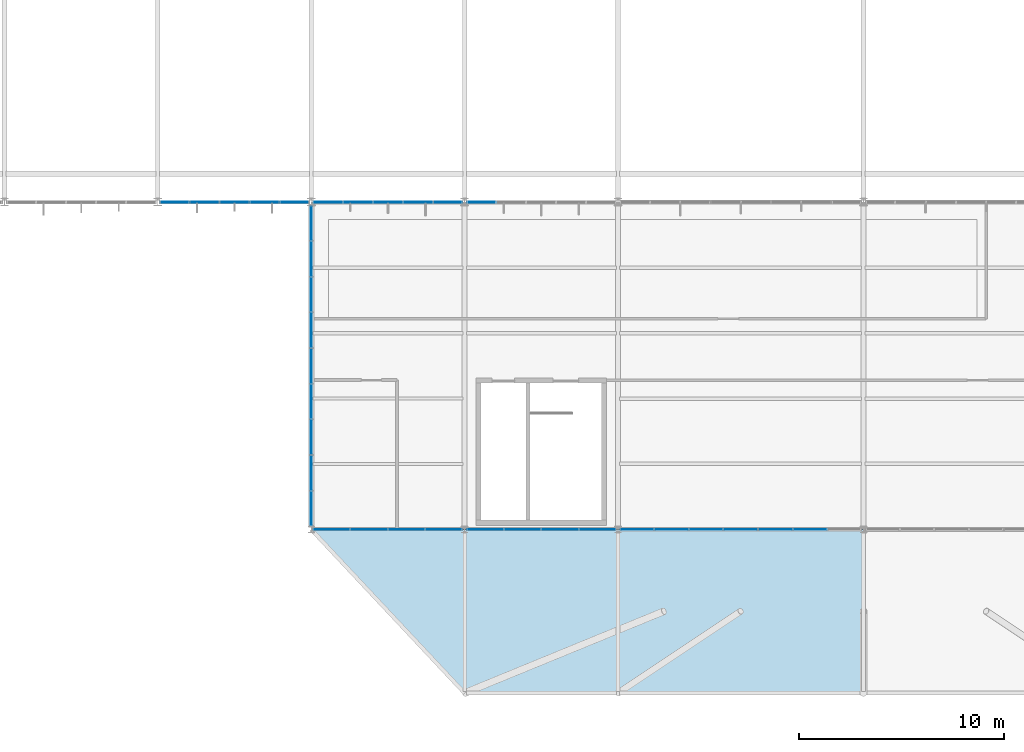
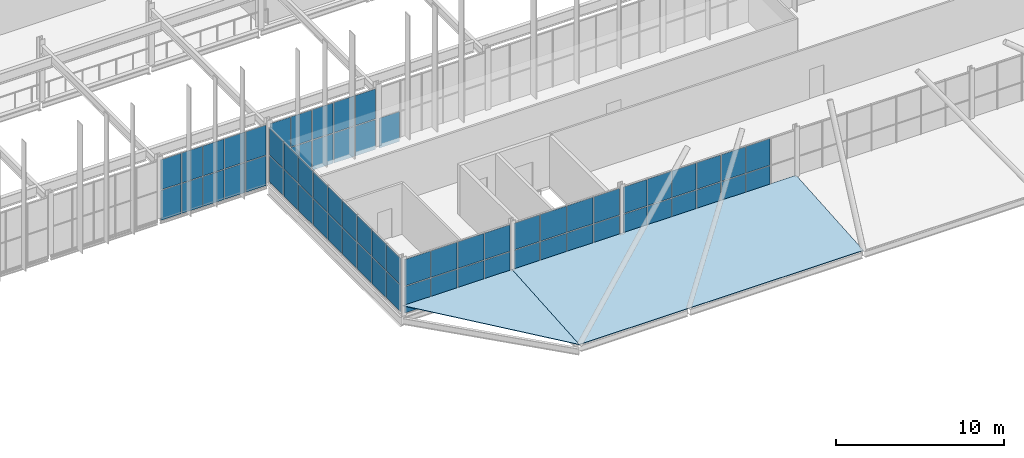
# One storey, part 281 of 324: 69 plates, 7 elements without a shape of their own.
"""IFC4 building model written with IfcOpenShell, lengths in metres."""

from ifc_helpers import new_model, si_unit, direction, frame, origin, origin_2d, place, context, subcontext, project, spatial, polyline, rectangle, outline, extrude, material, layer, layer_set, type_object, element, aggregate, save


model = new_model("IFC4")

# Units and contexts
model_context = context("Model", 3, precision=1e-05, world=origin(), true_north=direction((0.0, 1.0)))
body_context = subcontext(model_context, "Body", "Model", "MODEL_VIEW")
ifc_project = project(units=[si_unit("LENGTHUNIT", "METRE"), si_unit("AREAUNIT", "SQUARE_METRE"), si_unit("VOLUMEUNIT", "CUBIC_METRE"), si_unit("PLANEANGLEUNIT", "RADIAN"), si_unit("MASSUNIT", "GRAM", prefix="KILO")], contexts=[model_context])

# Site, building, storey
site_placement = place(None, origin())
site = spatial("IfcSite", under=ifc_project, at=site_placement, CompositionType="ELEMENT")
building_placement = place(site_placement, origin())
building = spatial("IfcBuilding", under=site, at=building_placement, Name="Solvenia Promenade Tram Depot", CompositionType="ELEMENT")
storey_placement = place(building_placement, frame((0.0, 0.0, 4.5)))
storey = spatial("IfcBuildingStorey", under=building, at=storey_placement, Name="L01", CompositionType="ELEMENT", Elevation=4.5)

# Curtain wall, plates
ifc_material_1 = material(Name="Anodized aluminium AW-6063 T6", Category="aluminium")
ifc_layer_1 = layer(ifc_material_1, 0.080078125, Name="Anodized aluminium AW-6063 T6", Category="aluminium")
ifc_layer_set_1 = layer_set([ifc_layer_1], Name="Anodized aluminium AW-6063 T6")
curtain_wall_type_1 = type_object("IfcCurtainWallType", Name="CW-Clerest-1500", PredefinedType="NOTDEFINED", material=ifc_layer_set_1)
curtain_wall_1_placement = place(storey_placement, origin())
curtain_wall_1 = element("IfcCurtainWall", 1, at=curtain_wall_1_placement, inside=storey, type_object=curtain_wall_type_1, Name="Curtain Wall CW-V2S-L1-04", PredefinedType="NOTDEFINED")
ifc_material_2 = material(Name="Double low-e argon insulated glass", Category="glass")
ifc_layer_2 = layer(ifc_material_2, 0.031982421875, Name="Double low-e argon insulated glass", Category="glass")
ifc_layer_set_2 = layer_set([ifc_layer_2], Name="Double low-e argon insulated glass")
plate_type_1 = type_object("IfcPlateType", Name="CWP-Panel-2", PredefinedType="CURTAIN_PANEL", material=ifc_layer_set_2)
plate_1_placement = place(storey_placement, frame((128.32763671875, 24.0, -0.294921875), z_axis=(0.0, 0.0, 1.0), x_axis=(1.0, 0.0, 0.0)))
plate_1 = element("IfcPlate", 2, at=plate_1_placement, type_object=plate_type_1, Name="CW-4 panel 1.1", PredefinedType="CURTAIN_PANEL", context=body_context, shape_type="SweptSolid", body=[
    extrude(rectangle(XDim=1.385498046875, YDim=0.031982421875, at=origin_2d()), origin(), (0.0, 0.0, 1.0), 2.16748046875),
])
plate_2_placement = place(storey_placement, frame((128.32763671875, 24.0, 1.927490234375), z_axis=(0.0, 0.0, 1.0), x_axis=(1.0, 0.0, 0.0)))
plate_2 = element("IfcPlate", 3, at=plate_2_placement, type_object=plate_type_1, Name="CW-4 panel 1.2", PredefinedType="CURTAIN_PANEL", context=body_context, shape_type="SweptSolid", body=[
    extrude(rectangle(XDim=1.385498046875, YDim=0.031982421875, at=origin_2d()), origin(), (0.0, 0.0, 1.0), 2.16748046875),
])
plate_3_placement = place(storey_placement, frame((129.781982421875, 24.0, -0.294921875), z_axis=(0.0, 0.0, 1.0), x_axis=(1.0, 0.0, 0.0)))
plate_3 = element("IfcPlate", 4, at=plate_3_placement, type_object=plate_type_1, Name="CW-4 panel 2.1", PredefinedType="CURTAIN_PANEL", context=body_context, shape_type="SweptSolid", body=[
    extrude(rectangle(XDim=1.4130859375, YDim=0.031982421875, at=origin_2d()), origin(), (0.0, 0.0, 1.0), 2.16748046875),
])
plate_4_placement = place(storey_placement, frame((129.781982421875, 24.0, 1.927490234375), z_axis=(0.0, 0.0, 1.0), x_axis=(1.0, 0.0, 0.0)))
plate_4 = element("IfcPlate", 5, at=plate_4_placement, type_object=plate_type_1, Name="CW-4 panel 2.2", PredefinedType="CURTAIN_PANEL", context=body_context, shape_type="SweptSolid", body=[
    extrude(rectangle(XDim=1.4130859375, YDim=0.031982421875, at=origin_2d()), origin(), (0.0, 0.0, 1.0), 2.16748046875),
])
plate_5_placement = place(storey_placement, frame((131.25, 24.0, -0.294921875), z_axis=(0.0, 0.0, 1.0), x_axis=(1.0, 0.0, 0.0)))
plate_5 = element("IfcPlate", 6, at=plate_5_placement, type_object=plate_type_1, Name="CW-4 panel 3.1", PredefinedType="CURTAIN_PANEL", context=body_context, shape_type="SweptSolid", body=[
    extrude(rectangle(XDim=1.4130859375, YDim=0.031982421875, at=origin_2d()), origin(), (0.0, 0.0, 1.0), 2.16748046875),
])
plate_6_placement = place(storey_placement, frame((131.25, 24.0, 1.927490234375), z_axis=(0.0, 0.0, 1.0), x_axis=(1.0, 0.0, 0.0)))
plate_6 = element("IfcPlate", 7, at=plate_6_placement, type_object=plate_type_1, Name="CW-4 panel 3.2", PredefinedType="CURTAIN_PANEL", context=body_context, shape_type="SweptSolid", body=[
    extrude(rectangle(XDim=1.4130859375, YDim=0.031982421875, at=origin_2d()), origin(), (0.0, 0.0, 1.0), 2.16748046875),
])
plate_7_placement = place(storey_placement, frame((132.718017578125, 24.0, -0.294921875), z_axis=(0.0, 0.0, 1.0), x_axis=(1.0, 0.0, 0.0)))
plate_7 = element("IfcPlate", 8, at=plate_7_placement, type_object=plate_type_1, Name="CW-4 panel 4.1", PredefinedType="CURTAIN_PANEL", context=body_context, shape_type="SweptSolid", body=[
    extrude(rectangle(XDim=1.4130859375, YDim=0.031982421875, at=origin_2d()), origin(), (0.0, 0.0, 1.0), 2.16748046875),
])
plate_8_placement = place(storey_placement, frame((132.718017578125, 24.0, 1.927490234375), z_axis=(0.0, 0.0, 1.0), x_axis=(1.0, 0.0, 0.0)))
plate_8 = element("IfcPlate", 9, at=plate_8_placement, type_object=plate_type_1, Name="CW-4 panel 4.2", PredefinedType="CURTAIN_PANEL", context=body_context, shape_type="SweptSolid", body=[
    extrude(rectangle(XDim=1.4130859375, YDim=0.031982421875, at=origin_2d()), origin(), (0.0, 0.0, 1.0), 2.16748046875),
])
plate_9_placement = place(storey_placement, frame((134.17236328125, 24.0, -0.294921875), z_axis=(0.0, 0.0, 1.0), x_axis=(1.0, 0.0, 0.0)))
plate_9 = element("IfcPlate", 10, at=plate_9_placement, type_object=plate_type_1, Name="CW-4 panel 5.1", PredefinedType="CURTAIN_PANEL", context=body_context, shape_type="SweptSolid", body=[
    extrude(rectangle(XDim=1.385498046875, YDim=0.031982421875, at=origin_2d()), origin(), (0.0, 0.0, 1.0), 2.16748046875),
])
plate_10_placement = place(storey_placement, frame((134.17236328125, 24.0, 1.927490234375), z_axis=(0.0, 0.0, 1.0), x_axis=(1.0, 0.0, 0.0)))
plate_10 = element("IfcPlate", 11, at=plate_10_placement, type_object=plate_type_1, Name="CW-4 panel 5.2", PredefinedType="CURTAIN_PANEL", context=body_context, shape_type="SweptSolid", body=[
    extrude(rectangle(XDim=1.385498046875, YDim=0.031982421875, at=origin_2d()), origin(), (0.0, 0.0, 1.0), 2.16748046875),
])
aggregate(curtain_wall_1, [plate_1, plate_2, plate_3, plate_4, plate_5, plate_6, plate_7, plate_8, plate_9, plate_10])

curtain_wall_2_placement = place(storey_placement, origin())
curtain_wall_2 = element("IfcCurtainWall", 12, at=curtain_wall_2_placement, inside=storey, type_object=curtain_wall_type_1, Name="Curtain Wall CW-V2S-L1-05", PredefinedType="NOTDEFINED")
plate_11_placement = place(storey_placement, frame((135.82763671875, 24.0, -0.294921875), z_axis=(0.0, 0.0, 1.0), x_axis=(1.0, 0.0, 0.0)))
plate_11 = element("IfcPlate", 13, at=plate_11_placement, type_object=plate_type_1, Name="CW-4 panel 1.1", PredefinedType="CURTAIN_PANEL", context=body_context, shape_type="SweptSolid", body=[
    extrude(rectangle(XDim=1.385498046875, YDim=0.031982421875, at=origin_2d()), origin(), (0.0, 0.0, 1.0), 2.16748046875),
])
plate_12_placement = place(storey_placement, frame((135.82763671875, 24.0, 1.927490234375), z_axis=(0.0, 0.0, 1.0), x_axis=(1.0, 0.0, 0.0)))
plate_12 = element("IfcPlate", 14, at=plate_12_placement, type_object=plate_type_1, Name="CW-4 panel 1.2", PredefinedType="CURTAIN_PANEL", context=body_context, shape_type="SweptSolid", body=[
    extrude(rectangle(XDim=1.385498046875, YDim=0.031982421875, at=origin_2d()), origin(), (0.0, 0.0, 1.0), 2.16748046875),
])
plate_13_placement = place(storey_placement, frame((137.281982421875, 24.0, -0.294921875), z_axis=(0.0, 0.0, 1.0), x_axis=(1.0, 0.0, 0.0)))
plate_13 = element("IfcPlate", 15, at=plate_13_placement, type_object=plate_type_1, Name="CW-4 panel 2.1", PredefinedType="CURTAIN_PANEL", context=body_context, shape_type="SweptSolid", body=[
    extrude(rectangle(XDim=1.4130859375, YDim=0.031982421875, at=origin_2d()), origin(), (0.0, 0.0, 1.0), 2.16748046875),
])
plate_14_placement = place(storey_placement, frame((137.281982421875, 24.0, 1.927490234375), z_axis=(0.0, 0.0, 1.0), x_axis=(1.0, 0.0, 0.0)))
plate_14 = element("IfcPlate", 16, at=plate_14_placement, type_object=plate_type_1, Name="CW-4 panel 2.2", PredefinedType="CURTAIN_PANEL", context=body_context, shape_type="SweptSolid", body=[
    extrude(rectangle(XDim=1.4130859375, YDim=0.031982421875, at=origin_2d()), origin(), (0.0, 0.0, 1.0), 2.16748046875),
])
plate_15_placement = place(storey_placement, frame((138.75, 24.0, -0.294921875), z_axis=(0.0, 0.0, 1.0), x_axis=(1.0, 0.0, 0.0)))
plate_15 = element("IfcPlate", 17, at=plate_15_placement, type_object=plate_type_1, Name="CW-4 panel 3.1", PredefinedType="CURTAIN_PANEL", context=body_context, shape_type="SweptSolid", body=[
    extrude(rectangle(XDim=1.4130859375, YDim=0.031982421875, at=origin_2d()), origin(), (0.0, 0.0, 1.0), 2.16748046875),
])
plate_16_placement = place(storey_placement, frame((138.75, 24.0, 1.927490234375), z_axis=(0.0, 0.0, 1.0), x_axis=(1.0, 0.0, 0.0)))
plate_16 = element("IfcPlate", 18, at=plate_16_placement, type_object=plate_type_1, Name="CW-4 panel 3.2", PredefinedType="CURTAIN_PANEL", context=body_context, shape_type="SweptSolid", body=[
    extrude(rectangle(XDim=1.4130859375, YDim=0.031982421875, at=origin_2d()), origin(), (0.0, 0.0, 1.0), 2.16748046875),
])
plate_17_placement = place(storey_placement, frame((140.218017578125, 24.0, -0.294921875), z_axis=(0.0, 0.0, 1.0), x_axis=(1.0, 0.0, 0.0)))
plate_17 = element("IfcPlate", 19, at=plate_17_placement, type_object=plate_type_1, Name="CW-4 panel 4.1", PredefinedType="CURTAIN_PANEL", context=body_context, shape_type="SweptSolid", body=[
    extrude(rectangle(XDim=1.4130859375, YDim=0.031982421875, at=origin_2d()), origin(), (0.0, 0.0, 1.0), 2.16748046875),
])
plate_18_placement = place(storey_placement, frame((140.218017578125, 24.0, 1.927490234375), z_axis=(0.0, 0.0, 1.0), x_axis=(1.0, 0.0, 0.0)))
plate_18 = element("IfcPlate", 20, at=plate_18_placement, type_object=plate_type_1, Name="CW-4 panel 4.2", PredefinedType="CURTAIN_PANEL", context=body_context, shape_type="SweptSolid", body=[
    extrude(rectangle(XDim=1.4130859375, YDim=0.031982421875, at=origin_2d()), origin(), (0.0, 0.0, 1.0), 2.16748046875),
])
plate_19_placement = place(storey_placement, frame((141.67236328125, 24.0, -0.294921875), z_axis=(0.0, 0.0, 1.0), x_axis=(1.0, 0.0, 0.0)))
plate_19 = element("IfcPlate", 21, at=plate_19_placement, type_object=plate_type_1, Name="CW-4 panel 5.1", PredefinedType="CURTAIN_PANEL", context=body_context, shape_type="SweptSolid", body=[
    extrude(rectangle(XDim=1.385498046875, YDim=0.031982421875, at=origin_2d()), origin(), (0.0, 0.0, 1.0), 2.16748046875),
])
plate_20_placement = place(storey_placement, frame((141.67236328125, 24.0, 1.927490234375), z_axis=(0.0, 0.0, 1.0), x_axis=(1.0, 0.0, 0.0)))
plate_20 = element("IfcPlate", 22, at=plate_20_placement, type_object=plate_type_1, Name="CW-4 panel 5.2", PredefinedType="CURTAIN_PANEL", context=body_context, shape_type="SweptSolid", body=[
    extrude(rectangle(XDim=1.385498046875, YDim=0.031982421875, at=origin_2d()), origin(), (0.0, 0.0, 1.0), 2.16748046875),
])
aggregate(curtain_wall_2, [plate_11, plate_12, plate_13, plate_14, plate_15, plate_16, plate_17, plate_18, plate_19, plate_20])

# Curtain wall, plate
curtain_wall_3_placement = place(storey_placement, origin())
curtain_wall_3 = element("IfcCurtainWall", 23, at=curtain_wall_3_placement, inside=storey, type_object=curtain_wall_type_1, Name="Curtain Wall CW-V2S-L1-06", PredefinedType="NOTDEFINED")
plate_21_placement = place(storey_placement, frame((143.32763671875, 24.0, -0.294921875), z_axis=(0.0, 0.0, 1.0), x_axis=(1.0, 0.0, 0.0)))
plate_21 = element("IfcPlate", 24, at=plate_21_placement, type_object=plate_type_1, Name="CW-4 panel 1.1", PredefinedType="CURTAIN_PANEL", context=body_context, shape_type="SweptSolid", body=[
    extrude(rectangle(XDim=1.385498046875, YDim=0.031982421875, at=origin_2d()), origin(), (0.0, 0.0, 1.0), 2.16748046875),
])
aggregate(curtain_wall_3, [plate_21])

# Curtain wall, plates
ifc_layer_3 = layer(ifc_material_1, 0.179931640625, Name="Anodized aluminium AW-6063 T6", Category="aluminium")
ifc_layer_set_3 = layer_set([ifc_layer_3], Name="Anodized aluminium AW-6063 T6")
curtain_wall_type_2 = type_object("IfcCurtainWallType", Name="CW-Prom-1800", PredefinedType="NOTDEFINED", material=ifc_layer_set_3)
curtain_wall_4_placement = place(storey_placement, origin())
curtain_wall_4 = element("IfcCurtainWall", 25, at=curtain_wall_4_placement, inside=storey, type_object=curtain_wall_type_2, Name="Curtain Wall CW-V5S-L1-01", PredefinedType="NOTDEFINED")
plate_22_placement = place(storey_placement, frame((136.01123046875, 8.0, 0.054931640625), z_axis=(0.0, 0.0, 1.0), x_axis=(1.0, 0.0, 0.0)))
plate_22 = element("IfcPlate", 26, at=plate_22_placement, type_object=plate_type_1, Name="CW-9 panel 1.1", PredefinedType="CURTAIN_PANEL", context=body_context, shape_type="SweptSolid", body=[
    extrude(rectangle(XDim=1.75244140625, YDim=0.031982421875, at=origin_2d()), origin(), (0.0, 0.0, 1.0), 1.91748046875),
])
plate_23_placement = place(storey_placement, frame((136.01123046875, 8.0, 2.027587890625), z_axis=(0.0, 0.0, 1.0), x_axis=(1.0, 0.0, 0.0)))
plate_23 = element("IfcPlate", 27, at=plate_23_placement, type_object=plate_type_1, Name="CW-9 panel 1.2", PredefinedType="CURTAIN_PANEL", context=body_context, shape_type="SweptSolid", body=[
    extrude(rectangle(XDim=1.75244140625, YDim=0.031982421875, at=origin_2d()), origin(), (0.0, 0.0, 1.0), 1.91748046875),
])
plate_24_placement = place(storey_placement, frame((137.83251953125, 8.0, 0.054931640625), z_axis=(0.0, 0.0, 1.0), x_axis=(1.0, 0.0, 0.0)))
plate_24 = element("IfcPlate", 28, at=plate_24_placement, type_object=plate_type_1, Name="CW-9 panel 2.1", PredefinedType="CURTAIN_PANEL", context=body_context, shape_type="SweptSolid", body=[
    extrude(rectangle(XDim=1.780029296875, YDim=0.031982421875, at=origin_2d()), origin(), (0.0, 0.0, 1.0), 1.91748046875),
])
plate_25_placement = place(storey_placement, frame((137.83251953125, 8.0, 2.027587890625), z_axis=(0.0, 0.0, 1.0), x_axis=(1.0, 0.0, 0.0)))
plate_25 = element("IfcPlate", 29, at=plate_25_placement, type_object=plate_type_1, Name="CW-9 panel 2.2", PredefinedType="CURTAIN_PANEL", context=body_context, shape_type="SweptSolid", body=[
    extrude(rectangle(XDim=1.780029296875, YDim=0.031982421875, at=origin_2d()), origin(), (0.0, 0.0, 1.0), 1.91748046875),
])
plate_26_placement = place(storey_placement, frame((139.66748046875, 8.0, 0.054931640625), z_axis=(0.0, 0.0, 1.0), x_axis=(1.0, 0.0, 0.0)))
plate_26 = element("IfcPlate", 30, at=plate_26_placement, type_object=plate_type_1, Name="CW-9 panel 3.1", PredefinedType="CURTAIN_PANEL", context=body_context, shape_type="SweptSolid", body=[
    extrude(rectangle(XDim=1.780029296875, YDim=0.031982421875, at=origin_2d()), origin(), (0.0, 0.0, 1.0), 1.91748046875),
])
plate_27_placement = place(storey_placement, frame((139.66748046875, 8.0, 2.027587890625), z_axis=(0.0, 0.0, 1.0), x_axis=(1.0, 0.0, 0.0)))
plate_27 = element("IfcPlate", 31, at=plate_27_placement, type_object=plate_type_1, Name="CW-9 panel 3.2", PredefinedType="CURTAIN_PANEL", context=body_context, shape_type="SweptSolid", body=[
    extrude(rectangle(XDim=1.780029296875, YDim=0.031982421875, at=origin_2d()), origin(), (0.0, 0.0, 1.0), 1.91748046875),
])
plate_28_placement = place(storey_placement, frame((141.48876953125, 8.0, 0.054931640625), z_axis=(0.0, 0.0, 1.0), x_axis=(1.0, 0.0, 0.0)))
plate_28 = element("IfcPlate", 32, at=plate_28_placement, type_object=plate_type_1, Name="CW-9 panel 4.1", PredefinedType="CURTAIN_PANEL", context=body_context, shape_type="SweptSolid", body=[
    extrude(rectangle(XDim=1.75244140625, YDim=0.031982421875, at=origin_2d()), origin(), (0.0, 0.0, 1.0), 1.91748046875),
])
plate_29_placement = place(storey_placement, frame((141.48876953125, 8.0, 2.027587890625), z_axis=(0.0, 0.0, 1.0), x_axis=(1.0, 0.0, 0.0)))
plate_29 = element("IfcPlate", 33, at=plate_29_placement, type_object=plate_type_1, Name="CW-9 panel 4.2", PredefinedType="CURTAIN_PANEL", context=body_context, shape_type="SweptSolid", body=[
    extrude(rectangle(XDim=1.75244140625, YDim=0.031982421875, at=origin_2d()), origin(), (0.0, 0.0, 1.0), 1.91748046875),
])
aggregate(curtain_wall_4, [plate_22, plate_23, plate_24, plate_25, plate_26, plate_27, plate_28, plate_29])

curtain_wall_5_placement = place(storey_placement, origin())
curtain_wall_5 = element("IfcCurtainWall", 34, at=curtain_wall_5_placement, inside=storey, type_object=curtain_wall_type_2, Name="Curtain Wall CW-V5S-L1-02", PredefinedType="NOTDEFINED")
plate_30_placement = place(storey_placement, frame((143.51123046875, 8.0, 0.054931640625), z_axis=(0.0, 0.0, 1.0), x_axis=(1.0, 0.0, 0.0)))
plate_30 = element("IfcPlate", 35, at=plate_30_placement, type_object=plate_type_1, Name="CW-9 panel 1.1", PredefinedType="CURTAIN_PANEL", context=body_context, shape_type="SweptSolid", body=[
    extrude(rectangle(XDim=1.75244140625, YDim=0.031982421875, at=origin_2d()), origin(), (0.0, 0.0, 1.0), 1.91748046875),
])
plate_31_placement = place(storey_placement, frame((143.51123046875, 8.0, 2.027587890625), z_axis=(0.0, 0.0, 1.0), x_axis=(1.0, 0.0, 0.0)))
plate_31 = element("IfcPlate", 36, at=plate_31_placement, type_object=plate_type_1, Name="CW-9 panel 1.2", PredefinedType="CURTAIN_PANEL", context=body_context, shape_type="SweptSolid", body=[
    extrude(rectangle(XDim=1.75244140625, YDim=0.031982421875, at=origin_2d()), origin(), (0.0, 0.0, 1.0), 1.91748046875),
])
plate_32_placement = place(storey_placement, frame((145.33251953125, 8.0, 0.054931640625), z_axis=(0.0, 0.0, 1.0), x_axis=(1.0, 0.0, 0.0)))
plate_32 = element("IfcPlate", 37, at=plate_32_placement, type_object=plate_type_1, Name="CW-9 panel 2.1", PredefinedType="CURTAIN_PANEL", context=body_context, shape_type="SweptSolid", body=[
    extrude(rectangle(XDim=1.780029296875, YDim=0.031982421875, at=origin_2d()), origin(), (0.0, 0.0, 1.0), 1.91748046875),
])
plate_33_placement = place(storey_placement, frame((145.33251953125, 8.0, 2.027587890625), z_axis=(0.0, 0.0, 1.0), x_axis=(1.0, 0.0, 0.0)))
plate_33 = element("IfcPlate", 38, at=plate_33_placement, type_object=plate_type_1, Name="CW-9 panel 2.2", PredefinedType="CURTAIN_PANEL", context=body_context, shape_type="SweptSolid", body=[
    extrude(rectangle(XDim=1.780029296875, YDim=0.031982421875, at=origin_2d()), origin(), (0.0, 0.0, 1.0), 1.91748046875),
])
plate_34_placement = place(storey_placement, frame((147.16748046875, 8.0, 0.054931640625), z_axis=(0.0, 0.0, 1.0), x_axis=(1.0, 0.0, 0.0)))
plate_34 = element("IfcPlate", 39, at=plate_34_placement, type_object=plate_type_1, Name="CW-9 panel 3.1", PredefinedType="CURTAIN_PANEL", context=body_context, shape_type="SweptSolid", body=[
    extrude(rectangle(XDim=1.780029296875, YDim=0.031982421875, at=origin_2d()), origin(), (0.0, 0.0, 1.0), 1.91748046875),
])
plate_35_placement = place(storey_placement, frame((147.16748046875, 8.0, 2.027587890625), z_axis=(0.0, 0.0, 1.0), x_axis=(1.0, 0.0, 0.0)))
plate_35 = element("IfcPlate", 40, at=plate_35_placement, type_object=plate_type_1, Name="CW-9 panel 3.2", PredefinedType="CURTAIN_PANEL", context=body_context, shape_type="SweptSolid", body=[
    extrude(rectangle(XDim=1.780029296875, YDim=0.031982421875, at=origin_2d()), origin(), (0.0, 0.0, 1.0), 1.91748046875),
])
plate_36_placement = place(storey_placement, frame((148.98876953125, 8.0, 0.054931640625), z_axis=(0.0, 0.0, 1.0), x_axis=(1.0, 0.0, 0.0)))
plate_36 = element("IfcPlate", 41, at=plate_36_placement, type_object=plate_type_1, Name="CW-9 panel 4.1", PredefinedType="CURTAIN_PANEL", context=body_context, shape_type="SweptSolid", body=[
    extrude(rectangle(XDim=1.75244140625, YDim=0.031982421875, at=origin_2d()), origin(), (0.0, 0.0, 1.0), 1.91748046875),
])
plate_37_placement = place(storey_placement, frame((148.98876953125, 8.0, 2.027587890625), z_axis=(0.0, 0.0, 1.0), x_axis=(1.0, 0.0, 0.0)))
plate_37 = element("IfcPlate", 42, at=plate_37_placement, type_object=plate_type_1, Name="CW-9 panel 4.2", PredefinedType="CURTAIN_PANEL", context=body_context, shape_type="SweptSolid", body=[
    extrude(rectangle(XDim=1.75244140625, YDim=0.031982421875, at=origin_2d()), origin(), (0.0, 0.0, 1.0), 1.91748046875),
])
aggregate(curtain_wall_5, [plate_30, plate_31, plate_32, plate_33, plate_34, plate_35, plate_36, plate_37])

curtain_wall_6_placement = place(storey_placement, origin())
curtain_wall_6 = element("IfcCurtainWall", 43, at=curtain_wall_6_placement, inside=storey, type_object=curtain_wall_type_2, Name="Curtain Wall CW-V5S-L1-03", PredefinedType="NOTDEFINED")
plate_38_placement = place(storey_placement, frame((150.939453125, 8.0, 0.054931640625), z_axis=(0.0, 0.0, 1.0), x_axis=(1.0, 0.0, 0.0)))
plate_38 = element("IfcPlate", 44, at=plate_38_placement, type_object=plate_type_1, Name="CW-9 panel 1.1", PredefinedType="CURTAIN_PANEL", context=body_context, shape_type="SweptSolid", body=[
    extrude(rectangle(XDim=1.60888671875, YDim=0.031982421875, at=origin_2d()), origin(), (0.0, 0.0, 1.0), 1.91748046875),
])
plate_39_placement = place(storey_placement, frame((150.939453125, 8.0, 2.027587890625), z_axis=(0.0, 0.0, 1.0), x_axis=(1.0, 0.0, 0.0)))
plate_39 = element("IfcPlate", 45, at=plate_39_placement, type_object=plate_type_1, Name="CW-9 panel 1.2", PredefinedType="CURTAIN_PANEL", context=body_context, shape_type="SweptSolid", body=[
    extrude(rectangle(XDim=1.60888671875, YDim=0.031982421875, at=origin_2d()), origin(), (0.0, 0.0, 1.0), 1.91748046875),
])
plate_40_placement = place(storey_placement, frame((152.6171875, 8.0, 0.054931640625), z_axis=(0.0, 0.0, 1.0), x_axis=(1.0, 0.0, 0.0)))
plate_40 = element("IfcPlate", 46, at=plate_40_placement, type_object=plate_type_1, Name="CW-9 panel 2.1", PredefinedType="CURTAIN_PANEL", context=body_context, shape_type="SweptSolid", body=[
    extrude(rectangle(XDim=1.636474609375, YDim=0.031982421875, at=origin_2d()), origin(), (0.0, 0.0, 1.0), 1.91748046875),
])
plate_41_placement = place(storey_placement, frame((152.6171875, 8.0, 2.027587890625), z_axis=(0.0, 0.0, 1.0), x_axis=(1.0, 0.0, 0.0)))
plate_41 = element("IfcPlate", 47, at=plate_41_placement, type_object=plate_type_1, Name="CW-9 panel 2.2", PredefinedType="CURTAIN_PANEL", context=body_context, shape_type="SweptSolid", body=[
    extrude(rectangle(XDim=1.636474609375, YDim=0.031982421875, at=origin_2d()), origin(), (0.0, 0.0, 1.0), 1.91748046875),
])
plate_42_placement = place(storey_placement, frame((154.30859375, 8.0, 0.054931640625), z_axis=(0.0, 0.0, 1.0), x_axis=(1.0, 0.0, 0.0)))
plate_42 = element("IfcPlate", 48, at=plate_42_placement, type_object=plate_type_1, Name="CW-9 panel 3.1", PredefinedType="CURTAIN_PANEL", context=body_context, shape_type="SweptSolid", body=[
    extrude(rectangle(XDim=1.636474609375, YDim=0.031982421875, at=origin_2d()), origin(), (0.0, 0.0, 1.0), 1.91748046875),
])
plate_43_placement = place(storey_placement, frame((154.30859375, 8.0, 2.027587890625), z_axis=(0.0, 0.0, 1.0), x_axis=(1.0, 0.0, 0.0)))
plate_43 = element("IfcPlate", 49, at=plate_43_placement, type_object=plate_type_1, Name="CW-9 panel 3.2", PredefinedType="CURTAIN_PANEL", context=body_context, shape_type="SweptSolid", body=[
    extrude(rectangle(XDim=1.636474609375, YDim=0.031982421875, at=origin_2d()), origin(), (0.0, 0.0, 1.0), 1.91748046875),
])
plate_44_placement = place(storey_placement, frame((156.0, 8.0, 0.054931640625), z_axis=(0.0, 0.0, 1.0), x_axis=(1.0, 0.0, 0.0)))
plate_44 = element("IfcPlate", 50, at=plate_44_placement, type_object=plate_type_1, Name="CW-9 panel 4.1", PredefinedType="CURTAIN_PANEL", context=body_context, shape_type="SweptSolid", body=[
    extrude(rectangle(XDim=1.636474609375, YDim=0.031982421875, at=origin_2d()), origin(), (0.0, 0.0, 1.0), 1.91748046875),
])
plate_45_placement = place(storey_placement, frame((156.0, 8.0, 2.027587890625), z_axis=(0.0, 0.0, 1.0), x_axis=(1.0, 0.0, 0.0)))
plate_45 = element("IfcPlate", 51, at=plate_45_placement, type_object=plate_type_1, Name="CW-9 panel 4.2", PredefinedType="CURTAIN_PANEL", context=body_context, shape_type="SweptSolid", body=[
    extrude(rectangle(XDim=1.636474609375, YDim=0.031982421875, at=origin_2d()), origin(), (0.0, 0.0, 1.0), 1.91748046875),
])
plate_46_placement = place(storey_placement, frame((157.69140625, 8.0, 0.054931640625), z_axis=(0.0, 0.0, 1.0), x_axis=(1.0, 0.0, 0.0)))
plate_46 = element("IfcPlate", 52, at=plate_46_placement, type_object=plate_type_1, Name="CW-9 panel 5.1", PredefinedType="CURTAIN_PANEL", context=body_context, shape_type="SweptSolid", body=[
    extrude(rectangle(XDim=1.636474609375, YDim=0.031982421875, at=origin_2d()), origin(), (0.0, 0.0, 1.0), 1.91748046875),
])
plate_47_placement = place(storey_placement, frame((157.69140625, 8.0, 2.027587890625), z_axis=(0.0, 0.0, 1.0), x_axis=(1.0, 0.0, 0.0)))
plate_47 = element("IfcPlate", 53, at=plate_47_placement, type_object=plate_type_1, Name="CW-9 panel 5.2", PredefinedType="CURTAIN_PANEL", context=body_context, shape_type="SweptSolid", body=[
    extrude(rectangle(XDim=1.636474609375, YDim=0.031982421875, at=origin_2d()), origin(), (0.0, 0.0, 1.0), 1.91748046875),
])
plate_48_placement = place(storey_placement, frame((159.3828125, 8.0, 0.054931640625), z_axis=(0.0, 0.0, 1.0), x_axis=(1.0, 0.0, 0.0)))
plate_48 = element("IfcPlate", 54, at=plate_48_placement, type_object=plate_type_1, Name="CW-9 panel 6.1", PredefinedType="CURTAIN_PANEL", context=body_context, shape_type="SweptSolid", body=[
    extrude(rectangle(XDim=1.636474609375, YDim=0.031982421875, at=origin_2d()), origin(), (0.0, 0.0, 1.0), 1.91748046875),
])
plate_49_placement = place(storey_placement, frame((159.3828125, 8.0, 2.027587890625), z_axis=(0.0, 0.0, 1.0), x_axis=(1.0, 0.0, 0.0)))
plate_49 = element("IfcPlate", 55, at=plate_49_placement, type_object=plate_type_1, Name="CW-9 panel 6.2", PredefinedType="CURTAIN_PANEL", context=body_context, shape_type="SweptSolid", body=[
    extrude(rectangle(XDim=1.636474609375, YDim=0.031982421875, at=origin_2d()), origin(), (0.0, 0.0, 1.0), 1.91748046875),
])
aggregate(curtain_wall_6, [plate_38, plate_39, plate_40, plate_41, plate_42, plate_43, plate_44, plate_45, plate_46, plate_47, plate_48, plate_49])

curtain_wall_7_placement = place(storey_placement, origin())
curtain_wall_7 = element("IfcCurtainWall", 56, at=curtain_wall_7_placement, inside=storey, type_object=curtain_wall_type_2, Name="Curtain Wall CW-V5W-L01", PredefinedType="NOTDEFINED")
plate_50_placement = place(storey_placement, frame((135.0, 9.035888671875, 0.054931640625), z_axis=(0.0, 0.0, 1.0), x_axis=(0.0, 1.0, 0.0)))
plate_50 = element("IfcPlate", 57, at=plate_50_placement, type_object=plate_type_1, Name="CW-9 panel 1.1", PredefinedType="CURTAIN_PANEL", context=body_context, shape_type="SweptSolid", body=[
    extrude(rectangle(XDim=1.661865234375, YDim=0.031982421875, at=origin_2d()), origin(), (0.0, 0.0, 1.0), 1.91748046875),
])
plate_51_placement = place(storey_placement, frame((135.0, 9.035888671875, 2.027587890625), z_axis=(0.0, 0.0, 1.0), x_axis=(0.0, 1.0, 0.0)))
plate_51 = element("IfcPlate", 58, at=plate_51_placement, type_object=plate_type_1, Name="CW-9 panel 1.2", PredefinedType="CURTAIN_PANEL", context=body_context, shape_type="SweptSolid", body=[
    extrude(rectangle(XDim=1.661865234375, YDim=0.031982421875, at=origin_2d()), origin(), (0.0, 0.0, 1.0), 1.91748046875),
])
plate_52_placement = place(storey_placement, frame((135.0, 10.7666015625, 0.054931640625), z_axis=(0.0, 0.0, 1.0), x_axis=(0.0, 1.0, 0.0)))
plate_52 = element("IfcPlate", 59, at=plate_52_placement, type_object=plate_type_1, Name="CW-9 panel 2.1", PredefinedType="CURTAIN_PANEL", context=body_context, shape_type="SweptSolid", body=[
    extrude(rectangle(XDim=1.689453125, YDim=0.031982421875, at=origin_2d()), origin(), (0.0, 0.0, 1.0), 1.91748046875),
])
plate_53_placement = place(storey_placement, frame((135.0, 10.7666015625, 2.027587890625), z_axis=(0.0, 0.0, 1.0), x_axis=(0.0, 1.0, 0.0)))
plate_53 = element("IfcPlate", 60, at=plate_53_placement, type_object=plate_type_1, Name="CW-9 panel 2.2", PredefinedType="CURTAIN_PANEL", context=body_context, shape_type="SweptSolid", body=[
    extrude(rectangle(XDim=1.689453125, YDim=0.031982421875, at=origin_2d()), origin(), (0.0, 0.0, 1.0), 1.91748046875),
])
plate_54_placement = place(storey_placement, frame((135.0, 12.51123046875, 0.054931640625), z_axis=(0.0, 0.0, 1.0), x_axis=(0.0, 1.0, 0.0)))
plate_54 = element("IfcPlate", 61, at=plate_54_placement, type_object=plate_type_1, Name="CW-9 panel 3.1", PredefinedType="CURTAIN_PANEL", context=body_context, shape_type="SweptSolid", body=[
    extrude(rectangle(XDim=1.689453125, YDim=0.031982421875, at=origin_2d()), origin(), (0.0, 0.0, 1.0), 1.91748046875),
])
plate_55_placement = place(storey_placement, frame((135.0, 12.51123046875, 2.027587890625), z_axis=(0.0, 0.0, 1.0), x_axis=(0.0, 1.0, 0.0)))
plate_55 = element("IfcPlate", 62, at=plate_55_placement, type_object=plate_type_1, Name="CW-9 panel 3.2", PredefinedType="CURTAIN_PANEL", context=body_context, shape_type="SweptSolid", body=[
    extrude(rectangle(XDim=1.689453125, YDim=0.031982421875, at=origin_2d()), origin(), (0.0, 0.0, 1.0), 1.91748046875),
])
plate_56_placement = place(storey_placement, frame((135.0, 14.255615234375, 0.054931640625), z_axis=(0.0, 0.0, 1.0), x_axis=(0.0, 1.0, 0.0)))
plate_56 = element("IfcPlate", 63, at=plate_56_placement, type_object=plate_type_1, Name="CW-9 panel 4.1", PredefinedType="CURTAIN_PANEL", context=body_context, shape_type="SweptSolid", body=[
    extrude(rectangle(XDim=1.689453125, YDim=0.031982421875, at=origin_2d()), origin(), (0.0, 0.0, 1.0), 1.91748046875),
])
plate_57_placement = place(storey_placement, frame((135.0, 14.255615234375, 2.027587890625), z_axis=(0.0, 0.0, 1.0), x_axis=(0.0, 1.0, 0.0)))
plate_57 = element("IfcPlate", 64, at=plate_57_placement, type_object=plate_type_1, Name="CW-9 panel 4.2", PredefinedType="CURTAIN_PANEL", context=body_context, shape_type="SweptSolid", body=[
    extrude(rectangle(XDim=1.689453125, YDim=0.031982421875, at=origin_2d()), origin(), (0.0, 0.0, 1.0), 1.91748046875),
])
plate_58_placement = place(storey_placement, frame((135.0, 16.0, 0.054931640625), z_axis=(0.0, 0.0, 1.0), x_axis=(0.0, 1.0, 0.0)))
plate_58 = element("IfcPlate", 65, at=plate_58_placement, type_object=plate_type_1, Name="CW-9 panel 5.1", PredefinedType="CURTAIN_PANEL", context=body_context, shape_type="SweptSolid", body=[
    extrude(rectangle(XDim=1.689453125, YDim=0.031982421875, at=origin_2d()), origin(), (0.0, 0.0, 1.0), 1.91748046875),
])
plate_59_placement = place(storey_placement, frame((135.0, 16.0, 2.027587890625), z_axis=(0.0, 0.0, 1.0), x_axis=(0.0, 1.0, 0.0)))
plate_59 = element("IfcPlate", 66, at=plate_59_placement, type_object=plate_type_1, Name="CW-9 panel 5.2", PredefinedType="CURTAIN_PANEL", context=body_context, shape_type="SweptSolid", body=[
    extrude(rectangle(XDim=1.689453125, YDim=0.031982421875, at=origin_2d()), origin(), (0.0, 0.0, 1.0), 1.91748046875),
])
plate_60_placement = place(storey_placement, frame((135.0, 17.744384765625, 0.054931640625), z_axis=(0.0, 0.0, 1.0), x_axis=(0.0, 1.0, 0.0)))
plate_60 = element("IfcPlate", 67, at=plate_60_placement, type_object=plate_type_1, Name="CW-9 panel 6.1", PredefinedType="CURTAIN_PANEL", context=body_context, shape_type="SweptSolid", body=[
    extrude(rectangle(XDim=1.689453125, YDim=0.031982421875, at=origin_2d()), origin(), (0.0, 0.0, 1.0), 1.91748046875),
])
plate_61_placement = place(storey_placement, frame((135.0, 17.744384765625, 2.027587890625), z_axis=(0.0, 0.0, 1.0), x_axis=(0.0, 1.0, 0.0)))
plate_61 = element("IfcPlate", 68, at=plate_61_placement, type_object=plate_type_1, Name="CW-9 panel 6.2", PredefinedType="CURTAIN_PANEL", context=body_context, shape_type="SweptSolid", body=[
    extrude(rectangle(XDim=1.689453125, YDim=0.031982421875, at=origin_2d()), origin(), (0.0, 0.0, 1.0), 1.91748046875),
])
plate_62_placement = place(storey_placement, frame((135.0, 19.48876953125, 0.054931640625), z_axis=(0.0, 0.0, 1.0), x_axis=(0.0, 1.0, 0.0)))
plate_62 = element("IfcPlate", 69, at=plate_62_placement, type_object=plate_type_1, Name="CW-9 panel 7.1", PredefinedType="CURTAIN_PANEL", context=body_context, shape_type="SweptSolid", body=[
    extrude(rectangle(XDim=1.689453125, YDim=0.031982421875, at=origin_2d()), origin(), (0.0, 0.0, 1.0), 1.91748046875),
])
plate_63_placement = place(storey_placement, frame((135.0, 19.48876953125, 2.027587890625), z_axis=(0.0, 0.0, 1.0), x_axis=(0.0, 1.0, 0.0)))
plate_63 = element("IfcPlate", 70, at=plate_63_placement, type_object=plate_type_1, Name="CW-9 panel 7.2", PredefinedType="CURTAIN_PANEL", context=body_context, shape_type="SweptSolid", body=[
    extrude(rectangle(XDim=1.689453125, YDim=0.031982421875, at=origin_2d()), origin(), (0.0, 0.0, 1.0), 1.91748046875),
])
plate_64_placement = place(storey_placement, frame((135.0, 21.2333984375, 0.054931640625), z_axis=(0.0, 0.0, 1.0), x_axis=(0.0, 1.0, 0.0)))
plate_64 = element("IfcPlate", 71, at=plate_64_placement, type_object=plate_type_1, Name="CW-9 panel 8.1", PredefinedType="CURTAIN_PANEL", context=body_context, shape_type="SweptSolid", body=[
    extrude(rectangle(XDim=1.689453125, YDim=0.031982421875, at=origin_2d()), origin(), (0.0, 0.0, 1.0), 1.91748046875),
])
plate_65_placement = place(storey_placement, frame((135.0, 21.2333984375, 2.027587890625), z_axis=(0.0, 0.0, 1.0), x_axis=(0.0, 1.0, 0.0)))
plate_65 = element("IfcPlate", 72, at=plate_65_placement, type_object=plate_type_1, Name="CW-9 panel 8.2", PredefinedType="CURTAIN_PANEL", context=body_context, shape_type="SweptSolid", body=[
    extrude(rectangle(XDim=1.689453125, YDim=0.031982421875, at=origin_2d()), origin(), (0.0, 0.0, 1.0), 1.91748046875),
])
plate_66_placement = place(storey_placement, frame((135.0, 22.964111328125, 0.054931640625), z_axis=(0.0, 0.0, 1.0), x_axis=(0.0, 1.0, 0.0)))
plate_66 = element("IfcPlate", 73, at=plate_66_placement, type_object=plate_type_1, Name="CW-9 panel 9.1", PredefinedType="CURTAIN_PANEL", context=body_context, shape_type="SweptSolid", body=[
    extrude(rectangle(XDim=1.661865234375, YDim=0.031982421875, at=origin_2d()), origin(), (0.0, 0.0, 1.0), 1.91748046875),
])
plate_67_placement = place(storey_placement, frame((135.0, 22.964111328125, 2.027587890625), z_axis=(0.0, 0.0, 1.0), x_axis=(0.0, 1.0, 0.0)))
plate_67 = element("IfcPlate", 74, at=plate_67_placement, type_object=plate_type_1, Name="CW-9 panel 9.2", PredefinedType="CURTAIN_PANEL", context=body_context, shape_type="SweptSolid", body=[
    extrude(rectangle(XDim=1.661865234375, YDim=0.031982421875, at=origin_2d()), origin(), (0.0, 0.0, 1.0), 1.91748046875),
])
aggregate(curtain_wall_7, [plate_50, plate_51, plate_52, plate_53, plate_54, plate_55, plate_56, plate_57, plate_58, plate_59, plate_60, plate_61, plate_62, plate_63, plate_64, plate_65, plate_66, plate_67])

# Plates
ifc_material_3 = material(Name="Translucent multi-wall insulated polycarbonate cassette", Category="other")
ifc_layer_4 = layer(ifc_material_3, 0.0380859375, Name="Translucent multi-wall insulated polycarbonate cassette", Category="other")
ifc_layer_set_4 = layer_set([ifc_layer_4], Name="Translucent multi-wall insulated polycarbonate cassette")
plate_type_2 = type_object("IfcPlateType", Name="DaylightCassette-3", PredefinedType="SHEET", material=ifc_layer_set_4)
plate_68_placement = place(storey_placement, frame((135.0, 8.0, 0.64990234375), z_axis=(0.0, -0.074771791074, 0.99720067151), x_axis=(0.682920140649, -0.728448150026, -0.054620272968)))
element("IfcPlate", 75, at=plate_68_placement, inside=storey, type_object=plate_type_2, Name="Colonnade Prow Insulated Daylight Canopy", PredefinedType="SHEET", context=body_context, shape_type="SweptSolid", body=[
    extrude(outline(polyline([(0.0, 0.0), (10.982250417842767, 4.163336342344337e-17), (5.1219010548704205, 5.478697800035814), (0.0, 0.0)])), origin(), (0.0, 0.0, -1.0), 0.0380859375),
])
plate_69_placement = place(storey_placement, frame((142.5, 0.0, 0.050048828125), z_axis=(0.0, -0.074771791074, 0.99720067151), x_axis=(1.0, 0.0, 0.0)))
element("IfcPlate", 76, at=plate_69_placement, inside=storey, type_object=plate_type_2, Name="Colonnade Insulated Daylight Canopy 1", PredefinedType="SHEET", context=body_context, shape_type="SweptSolid", body=[
    extrude(outline(polyline([(0.0, 0.0), (19.5, 0.0), (19.5, 8.022457493823678), (0.0, 8.022457493823678), (0.0, 0.0)])), origin(), (0.0, 0.0, -1.0), 0.0380859375),
])

save(model, "model.ifc")
